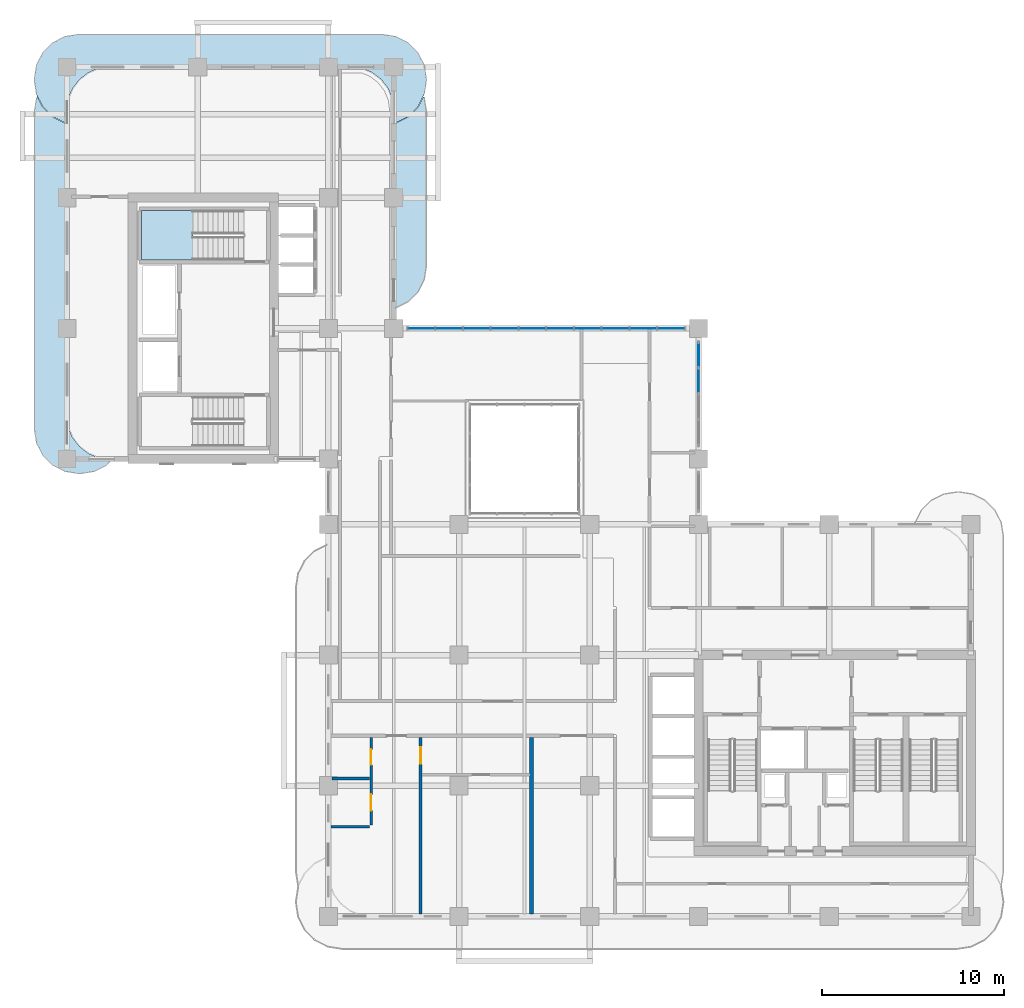
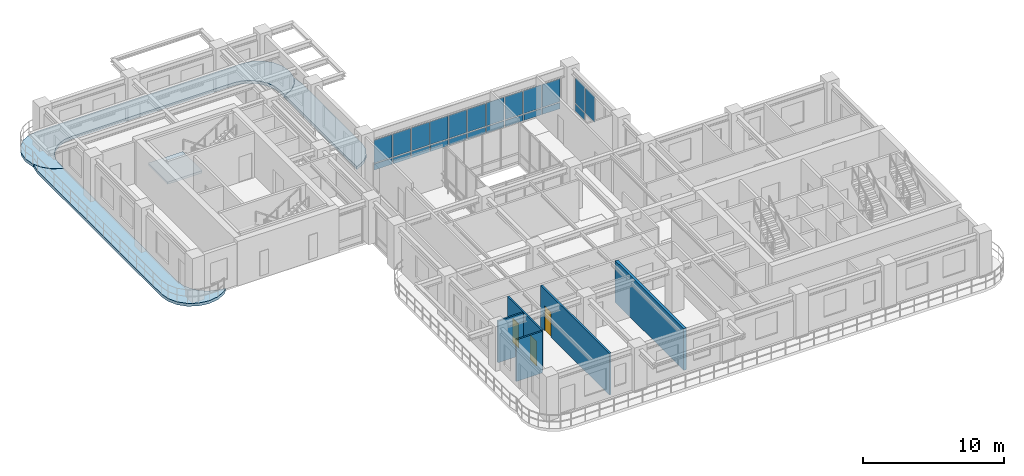
# One storey, part 10 of 19: 23 plates, 5 walls, 4 slabs, 3 doors, 3 openings, 3 elements without a shape of their own.
"""IFC4 building model written with IfcOpenShell, lengths in metres."""

from ifc_helpers import new_model, si_unit, derived_unit, direction, frame, frame_2d, origin, origin_2d, place, context, subcontext, project, spatial, polyline, rectangle, outline, extrude, source, transform, mapped, material, layer, layer_set, type_object, type_shapes, element, fill, aggregate, save


model = new_model("IFC4")

# Units and contexts
model_context = context("Model", 3, precision=1e-05, world=origin(), true_north=direction((0.0, 1.0)))
body_context = subcontext(model_context, "Body", "Model", "MODEL_VIEW")
ifc_project = project(units=[si_unit("LENGTHUNIT", "METRE"), si_unit("AREAUNIT", "SQUARE_METRE"), si_unit("VOLUMEUNIT", "CUBIC_METRE"), si_unit("PLANEANGLEUNIT", "RADIAN"), si_unit("MASSUNIT", "GRAM", prefix="KILO"), si_unit("THERMODYNAMICTEMPERATUREUNIT", "KELVIN"), si_unit("POWERUNIT", "WATT"), derived_unit("THERMALTRANSMITTANCEUNIT", [(si_unit("POWERUNIT", "WATT"), 1), (si_unit("AREAUNIT", "SQUARE_METRE"), -1), (si_unit("THERMODYNAMICTEMPERATUREUNIT", "KELVIN"), -1)])], contexts=[model_context])

# Site, building, storey
site_placement = place(None, origin())
site = spatial("IfcSite", under=ifc_project, at=site_placement, CompositionType="ELEMENT")
building_placement = place(site_placement, origin())
building = spatial("IfcBuilding", under=site, at=building_placement, Name="Zahravan Archway Hotel and Residences", CompositionType="ELEMENT")
storey_placement = place(building_placement, frame((0.0, 0.0, 158.0)))
storey = spatial("IfcBuildingStorey", under=building, at=storey_placement, Name="L39", CompositionType="ELEMENT", Elevation=158.0)

# Slabs
ifc_material_1 = material(Name="Concrete C45/55", Category="concrete")
ifc_layer_1 = layer(ifc_material_1, 0.25, Name="Concrete C45/55", Category="concrete")
ifc_layer_set_1 = layer_set([ifc_layer_1], Name="Concrete C45/55")
slab_type_1 = type_object("IfcSlabType", Name="SLB-BALC-250", PredefinedType="FLOOR", material=ifc_layer_set_1)
slab_1_placement = place(storey_placement, frame((0.0, 0.0, -0.25)))
element("IfcSlab", 1, at=slab_1_placement, inside=storey, type_object=slab_type_1, Name="L39 Wing B North Rounded Balcony Band", PredefinedType="FLOOR", context=body_context, shape_type="SweptSolid", body=[
    extrude(outline(polyline([(-0.107177734375, 43.719970703125), (-0.7900390625, 44.06787109375), (-1.33203125, 44.60986328125), (-1.68017578125, 45.29296875), (-1.800048828125, 46.050048828125), (-1.800048828125, 46.14990234375), (-1.68017578125, 46.906982421875), (-1.33203125, 47.590087890625), (-0.7900390625, 48.132080078125), (-0.107177734375, 48.47998046875), (0.64990234375, 48.60009765625), (17.35009765625, 48.60009765625), (18.107177734375, 48.47998046875), (18.7900390625, 48.132080078125), (19.33203125, 47.590087890625), (19.68017578125, 46.906982421875), (19.800048828125, 46.14990234375), (19.800048828125, 46.050048828125), (19.68017578125, 45.29296875), (19.33203125, 44.60986328125), (18.7900390625, 44.06787109375), (18.107177734375, 43.719970703125), (18.02001953125, 43.7060546875), (18.02001953125, 44.39990234375), (18.019775390625, 44.402587890625), (17.93798828125, 45.023681640625), (17.937744140625, 45.025390625), (17.937255859375, 45.027099609375), (17.936767578125, 45.02880859375), (17.697021484375, 45.607666015625), (17.6962890625, 45.609130859375), (17.6953125, 45.610595703125), (17.6943359375, 45.6123046875), (17.31298828125, 46.109375), (17.311767578125, 46.110595703125), (17.310546875, 46.11181640625), (17.309326171875, 46.113037109375), (16.812255859375, 46.494384765625), (16.810791015625, 46.495361328125), (16.80908203125, 46.49609375), (16.8076171875, 46.4970703125), (16.22900390625, 46.73681640625), (16.227294921875, 46.7373046875), (16.2255859375, 46.73779296875), (16.223876953125, 46.738037109375), (15.6025390625, 46.81982421875), (15.60009765625, 46.820068359375), (2.39990234375, 46.820068359375), (2.3974609375, 46.81982421875), (1.776123046875, 46.738037109375), (1.7744140625, 46.73779296875), (1.772705078125, 46.7373046875), (1.77099609375, 46.73681640625), (1.1923828125, 46.4970703125), (1.19091796875, 46.49609375), (1.189208984375, 46.495361328125), (1.187744140625, 46.494384765625), (0.690673828125, 46.113037109375), (0.689453125, 46.11181640625), (0.688232421875, 46.110595703125), (0.68701171875, 46.109375), (0.3056640625, 45.6123046875), (0.3046875, 45.610595703125), (0.3037109375, 45.609130859375), (0.302978515625, 45.607666015625), (0.063232421875, 45.02880859375), (0.062744140625, 45.027099609375), (0.062255859375, 45.025390625), (0.06201171875, 45.023681640625), (-0.019775390625, 44.402587890625), (-0.02001953125, 44.39990234375), (-0.02001953125, 43.7060546875), (-0.107177734375, 43.719970703125)])), origin(), (0.0, 0.0, 1.0), 0.25),
])
slab_2_placement = place(storey_placement, frame((0.0, 0.0, -0.25)))
element("IfcSlab", 2, at=slab_2_placement, inside=storey, type_object=slab_type_1, Name="L39 Wing B West Rounded Balcony Band", PredefinedType="FLOOR", context=body_context, shape_type="SweptSolid", body=[
    extrude(outline(polyline([(2.190185546875, 24.867919921875), (1.507080078125, 24.52001953125), (0.75, 24.39990234375), (0.64990234375, 24.39990234375), (-0.107177734375, 24.52001953125), (-0.7900390625, 24.867919921875), (-1.33203125, 25.409912109375), (-1.68017578125, 26.093017578125), (-1.800048828125, 26.85009765625), (-1.800048828125, 44.35009765625), (-1.68017578125, 45.107177734375), (-1.64404296875, 45.177978515625), (-1.349853515625, 44.600830078125), (-1.348876953125, 44.59912109375), (-1.34765625, 44.597412109375), (-1.34619140625, 44.595703125), (-0.80419921875, 44.0537109375), (-0.802734375, 44.052490234375), (-0.801025390625, 44.051025390625), (-0.79931640625, 44.050048828125), (-0.1162109375, 43.7021484375), (-0.1142578125, 43.701171875), (-0.1123046875, 43.70068359375), (-0.110107421875, 43.7001953125), (-0.023193359375, 43.686279296875), (-0.021240234375, 43.68603515625), (-0.02001953125, 43.68603515625), (-0.02001953125, 27.60009765625), (-0.019775390625, 27.597412109375), (0.06201171875, 26.976318359375), (0.062255859375, 26.974609375), (0.062744140625, 26.972900390625), (0.063232421875, 26.97119140625), (0.302978515625, 26.392333984375), (0.3037109375, 26.390869140625), (0.3046875, 26.389404296875), (0.3056640625, 26.3876953125), (0.68701171875, 25.890625), (0.688232421875, 25.889404296875), (0.689453125, 25.88818359375), (0.690673828125, 25.886962890625), (1.187744140625, 25.505615234375), (1.189208984375, 25.504638671875), (1.19091796875, 25.50390625), (1.1923828125, 25.5029296875), (1.77099609375, 25.26318359375), (1.772705078125, 25.2626953125), (1.7744140625, 25.26220703125), (1.776123046875, 25.261962890625), (2.3974609375, 25.18017578125), (2.39990234375, 25.179931640625), (2.502197265625, 25.179931640625), (2.190185546875, 24.867919921875)])), origin(), (0.0, 0.0, 1.0), 0.25),
])
slab_3_placement = place(storey_placement, frame((0.0, 0.0, -0.25)))
element("IfcSlab", 3, at=slab_3_placement, inside=storey, type_object=slab_type_1, Name="L39 Wing B East Rounded Balcony Band", PredefinedType="FLOOR", context=body_context, shape_type="SweptSolid", body=[
    extrude(outline(polyline([(19.68017578125, 45.107177734375), (19.800048828125, 44.35009765625), (19.800048828125, 35.85009765625), (19.68017578125, 35.093017578125), (19.33203125, 34.409912109375), (18.7900390625, 33.867919921875), (18.107177734375, 33.52001953125), (18.02001953125, 33.506103515625), (18.02001953125, 43.68603515625), (18.021240234375, 43.68603515625), (18.023193359375, 43.686279296875), (18.110107421875, 43.7001953125), (18.1123046875, 43.70068359375), (18.1142578125, 43.701171875), (18.1162109375, 43.7021484375), (18.79931640625, 44.050048828125), (18.801025390625, 44.051025390625), (18.802734375, 44.052490234375), (18.80419921875, 44.0537109375), (19.34619140625, 44.595703125), (19.34765625, 44.597412109375), (19.348876953125, 44.59912109375), (19.349853515625, 44.600830078125), (19.64404296875, 45.177978515625), (19.68017578125, 45.107177734375)])), origin(), (0.0, 0.0, 1.0), 0.25),
])

# Stair, slab
ifc_material_2 = material(Name="Concrete C50/60", Category="concrete")
stair_type = type_object("IfcStairType", Name="STR-CORE-1300", PredefinedType="HALF_TURN_STAIR", material=ifc_material_2)
stair_placement = place(storey_placement, origin())
stair = element("IfcStair", 4, at=stair_placement, inside=storey, type_object=stair_type, Name="L39 Core B Exit Stair 2", PredefinedType="HALF_TURN_STAIR")
ifc_layer_2 = layer(ifc_material_2, 0.199951171875, Name="Concrete C50/60", Category="concrete")
ifc_layer_set_2 = layer_set([ifc_layer_2], Name="Concrete C50/60")
slab_type_2 = type_object("IfcSlabType", Name="SLB-LND-200", PredefinedType="LANDING", material=ifc_layer_set_2)
slab_4_placement = place(storey_placement, frame((0.0, 0.0, 1.72509765625)))
slab_4 = element("IfcSlab", 5, at=slab_4_placement, type_object=slab_type_2, Name="ST-B2 landing 1", PredefinedType="LANDING", context=body_context, shape_type="SweptSolid", body=[
    extrude(outline(polyline([(6.929931640625, 38.89990234375), (4.10009765625, 38.89990234375), (4.10009765625, 36.159912109375), (6.929931640625, 36.159912109375), (6.929931640625, 38.89990234375)])), origin(), (0.0, 0.0, 1.0), 0.199951171875),
])
aggregate(stair, [slab_4])

# Curtain wall, plates
ifc_material_3 = material(Name="Bronze-Anodized Unitised Aluminium & Low-E Glass", Category="aluminium")
ifc_layer_3 = layer(ifc_material_3, 0.179931640625, Name="Bronze-Anodized Unitised Aluminium & Low-E Glass", Category="aluminium")
ifc_layer_set_3 = layer_set([ifc_layer_3], Name="Bronze-Anodized Unitised Aluminium & Low-E Glass")
curtain_wall_type = type_object("IfcCurtainWallType", Name="CW-ATR-GLAZ", PredefinedType="NOTDEFINED", material=ifc_layer_set_3)
curtain_wall_1_placement = place(storey_placement, origin())
curtain_wall_1 = element("IfcCurtainWall", 6, at=curtain_wall_1_placement, inside=storey, type_object=curtain_wall_type, Name="L39 Curtain Wall CW-L39-HNG-N-1", PredefinedType="NOTDEFINED")
ifc_material_4 = material(Name="Insulated Terracotta Spandrel Panel", Category="masonry")
ifc_layer_4 = layer(ifc_material_4, 0.0400390625, Name="Insulated Terracotta Spandrel Panel", Category="masonry")
ifc_layer_set_4 = layer_set([ifc_layer_4], Name="Insulated Terracotta Spandrel Panel")
plate_type_1 = type_object("IfcPlateType", Name="CWP-SPN-40", PredefinedType="SHEET", material=ifc_layer_set_4)
shared_shape_1 = source(origin(), body_context, "Body", "SweptSolid", [
    extrude(rectangle(XDim=1.447998046875, YDim=0.0400390625, at=origin_2d()), origin(), (0.0, 0.0, 1.0), 0.5283203125),
])
plate_1_placement = place(storey_placement, frame((19.52392578125, 32.39990234375, 0.10009765625), z_axis=(0.0, 0.0, 1.0), x_axis=(1.0, 0.0, 0.0)))
plate_1 = element("IfcPlate", 7, at=plate_1_placement, type_object=plate_type_1, Name="CW-L39-HNG-N-1 Spandrel Panel 0", PredefinedType="SHEET", context=body_context, shape_type="MappedRepresentation", body=[
    mapped(shared_shape_1, transform((0.0, 0.0, 0.0), scale=1.0)),
])
plate_2_placement = place(storey_placement, frame((21.052001953125, 32.39990234375, 0.10009765625), z_axis=(0.0, 0.0, 1.0), x_axis=(1.0, 0.0, 0.0)))
plate_2 = element("IfcPlate", 8, at=plate_2_placement, type_object=plate_type_1, Name="CW-L39-HNG-N-1 Spandrel Panel 1", PredefinedType="SHEET", context=body_context, shape_type="MappedRepresentation", body=[
    mapped(shared_shape_1, transform((0.0, 0.0, 0.0), scale=1.0)),
])
plate_3_placement = place(storey_placement, frame((22.580078125, 32.39990234375, 0.10009765625), z_axis=(0.0, 0.0, 1.0), x_axis=(1.0, 0.0, 0.0)))
plate_3 = element("IfcPlate", 9, at=plate_3_placement, type_object=plate_type_1, Name="CW-L39-HNG-N-1 Spandrel Panel 2", PredefinedType="SHEET", context=body_context, shape_type="MappedRepresentation", body=[
    mapped(shared_shape_1, transform((0.0, 0.0, 0.0), scale=1.0)),
])
plate_4_placement = place(storey_placement, frame((24.10791015625, 32.39990234375, 0.10009765625), z_axis=(0.0, 0.0, 1.0), x_axis=(1.0, 0.0, 0.0)))
plate_4 = element("IfcPlate", 10, at=plate_4_placement, type_object=plate_type_1, Name="CW-L39-HNG-N-1 Spandrel Panel 3", PredefinedType="SHEET", context=body_context, shape_type="MappedRepresentation", body=[
    mapped(shared_shape_1, transform((0.0, 0.0, 0.0), scale=1.0)),
])
plate_5_placement = place(storey_placement, frame((25.635986328125, 32.39990234375, 0.10009765625), z_axis=(0.0, 0.0, 1.0), x_axis=(1.0, 0.0, 0.0)))
plate_5 = element("IfcPlate", 11, at=plate_5_placement, type_object=plate_type_1, Name="CW-L39-HNG-N-1 Spandrel Panel 4", PredefinedType="SHEET", context=body_context, shape_type="MappedRepresentation", body=[
    mapped(shared_shape_1, transform((0.0, 0.0, 0.0), scale=1.0)),
])
plate_6_placement = place(storey_placement, frame((27.1640625, 32.39990234375, 0.10009765625), z_axis=(0.0, 0.0, 1.0), x_axis=(1.0, 0.0, 0.0)))
plate_6 = element("IfcPlate", 12, at=plate_6_placement, type_object=plate_type_1, Name="CW-L39-HNG-N-1 Spandrel Panel 5", PredefinedType="SHEET", context=body_context, shape_type="MappedRepresentation", body=[
    mapped(shared_shape_1, transform((0.0, 0.0, 0.0), scale=1.0)),
])
plate_7_placement = place(storey_placement, frame((28.69189453125, 32.39990234375, 0.10009765625), z_axis=(0.0, 0.0, 1.0), x_axis=(1.0, 0.0, 0.0)))
plate_7 = element("IfcPlate", 13, at=plate_7_placement, type_object=plate_type_1, Name="CW-L39-HNG-N-1 Spandrel Panel 6", PredefinedType="SHEET", context=body_context, shape_type="MappedRepresentation", body=[
    mapped(shared_shape_1, transform((0.0, 0.0, 0.0), scale=1.0)),
])
plate_8_placement = place(storey_placement, frame((30.219970703125, 32.39990234375, 0.10009765625), z_axis=(0.0, 0.0, 1.0), x_axis=(1.0, 0.0, 0.0)))
plate_8 = element("IfcPlate", 14, at=plate_8_placement, type_object=plate_type_1, Name="CW-L39-HNG-N-1 Spandrel Panel 7", PredefinedType="SHEET", context=body_context, shape_type="MappedRepresentation", body=[
    mapped(shared_shape_1, transform((0.0, 0.0, 0.0), scale=1.0)),
])
plate_9_placement = place(storey_placement, frame((31.748046875, 32.39990234375, 0.10009765625), z_axis=(0.0, 0.0, 1.0), x_axis=(1.0, 0.0, 0.0)))
plate_9 = element("IfcPlate", 15, at=plate_9_placement, type_object=plate_type_1, Name="CW-L39-HNG-N-1 Spandrel Panel 8", PredefinedType="SHEET", context=body_context, shape_type="MappedRepresentation", body=[
    mapped(shared_shape_1, transform((0.0, 0.0, 0.0), scale=1.0)),
])
plate_10_placement = place(storey_placement, frame((33.27587890625, 32.39990234375, 0.10009765625), z_axis=(0.0, 0.0, 1.0), x_axis=(1.0, 0.0, 0.0)))
plate_10 = element("IfcPlate", 16, at=plate_10_placement, type_object=plate_type_1, Name="CW-L39-HNG-N-1 Spandrel Panel 9", PredefinedType="SHEET", context=body_context, shape_type="MappedRepresentation", body=[
    mapped(shared_shape_1, transform((0.0, 0.0, 0.0), scale=1.0)),
])
ifc_material_5 = material(Name="Double-Silver Low-E Insulated Vision Glass", Category="glass")
ifc_layer_5 = layer(ifc_material_5, 0.028076171875, Name="Double-Silver Low-E Insulated Vision Glass", Category="glass")
ifc_layer_set_5 = layer_set([ifc_layer_5], Name="Double-Silver Low-E Insulated Vision Glass")
plate_type_2 = type_object("IfcPlateType", Name="CWP-GLZ-28", PredefinedType="CURTAIN_PANEL", material=ifc_layer_set_5)
shared_shape_2 = source(origin(), body_context, "Body", "SweptSolid", [
    extrude(rectangle(XDim=1.447998046875, YDim=0.028076171875, at=origin_2d()), origin(), (0.0, 0.0, 1.0), 1.9765625),
])
plate_11_placement = place(storey_placement, frame((19.52392578125, 32.39990234375, 0.70849609375), z_axis=(0.0, 0.0, 1.0), x_axis=(1.0, 0.0, 0.0)))
plate_11 = element("IfcPlate", 17, at=plate_11_placement, type_object=plate_type_2, Name="CW-L39-HNG-N-1 Low-E Vision Panel 0", PredefinedType="CURTAIN_PANEL", context=body_context, shape_type="MappedRepresentation", body=[
    mapped(shared_shape_2, transform((0.0, 0.0, 0.0), scale=1.0)),
])
plate_12_placement = place(storey_placement, frame((21.052001953125, 32.39990234375, 0.70849609375), z_axis=(0.0, 0.0, 1.0), x_axis=(1.0, 0.0, 0.0)))
plate_12 = element("IfcPlate", 18, at=plate_12_placement, type_object=plate_type_2, Name="CW-L39-HNG-N-1 Low-E Vision Panel 1", PredefinedType="CURTAIN_PANEL", context=body_context, shape_type="MappedRepresentation", body=[
    mapped(shared_shape_2, transform((0.0, 0.0, 0.0), scale=1.0)),
])
plate_13_placement = place(storey_placement, frame((22.580078125, 32.39990234375, 0.70849609375), z_axis=(0.0, 0.0, 1.0), x_axis=(1.0, 0.0, 0.0)))
plate_13 = element("IfcPlate", 19, at=plate_13_placement, type_object=plate_type_2, Name="CW-L39-HNG-N-1 Low-E Vision Panel 2", PredefinedType="CURTAIN_PANEL", context=body_context, shape_type="MappedRepresentation", body=[
    mapped(shared_shape_2, transform((0.0, 0.0, 0.0), scale=1.0)),
])
plate_14_placement = place(storey_placement, frame((24.10791015625, 32.39990234375, 0.70849609375), z_axis=(0.0, 0.0, 1.0), x_axis=(1.0, 0.0, 0.0)))
plate_14 = element("IfcPlate", 20, at=plate_14_placement, type_object=plate_type_2, Name="CW-L39-HNG-N-1 Low-E Vision Panel 3", PredefinedType="CURTAIN_PANEL", context=body_context, shape_type="MappedRepresentation", body=[
    mapped(shared_shape_2, transform((0.0, 0.0, 0.0), scale=1.0)),
])
plate_15_placement = place(storey_placement, frame((25.635986328125, 32.39990234375, 0.70849609375), z_axis=(0.0, 0.0, 1.0), x_axis=(1.0, 0.0, 0.0)))
plate_15 = element("IfcPlate", 21, at=plate_15_placement, type_object=plate_type_2, Name="CW-L39-HNG-N-1 Low-E Vision Panel 4", PredefinedType="CURTAIN_PANEL", context=body_context, shape_type="MappedRepresentation", body=[
    mapped(shared_shape_2, transform((0.0, 0.0, 0.0), scale=1.0)),
])
plate_16_placement = place(storey_placement, frame((27.1640625, 32.39990234375, 0.70849609375), z_axis=(0.0, 0.0, 1.0), x_axis=(1.0, 0.0, 0.0)))
plate_16 = element("IfcPlate", 22, at=plate_16_placement, type_object=plate_type_2, Name="CW-L39-HNG-N-1 Low-E Vision Panel 5", PredefinedType="CURTAIN_PANEL", context=body_context, shape_type="MappedRepresentation", body=[
    mapped(shared_shape_2, transform((0.0, 0.0, 0.0), scale=1.0)),
])
plate_17_placement = place(storey_placement, frame((28.69189453125, 32.39990234375, 0.70849609375), z_axis=(0.0, 0.0, 1.0), x_axis=(1.0, 0.0, 0.0)))
plate_17 = element("IfcPlate", 23, at=plate_17_placement, type_object=plate_type_2, Name="CW-L39-HNG-N-1 Low-E Vision Panel 6", PredefinedType="CURTAIN_PANEL", context=body_context, shape_type="MappedRepresentation", body=[
    mapped(shared_shape_2, transform((0.0, 0.0, 0.0), scale=1.0)),
])
plate_18_placement = place(storey_placement, frame((30.219970703125, 32.39990234375, 0.70849609375), z_axis=(0.0, 0.0, 1.0), x_axis=(1.0, 0.0, 0.0)))
plate_18 = element("IfcPlate", 24, at=plate_18_placement, type_object=plate_type_2, Name="CW-L39-HNG-N-1 Low-E Vision Panel 7", PredefinedType="CURTAIN_PANEL", context=body_context, shape_type="MappedRepresentation", body=[
    mapped(shared_shape_2, transform((0.0, 0.0, 0.0), scale=1.0)),
])
plate_19_placement = place(storey_placement, frame((31.748046875, 32.39990234375, 0.70849609375), z_axis=(0.0, 0.0, 1.0), x_axis=(1.0, 0.0, 0.0)))
plate_19 = element("IfcPlate", 25, at=plate_19_placement, type_object=plate_type_2, Name="CW-L39-HNG-N-1 Low-E Vision Panel 8", PredefinedType="CURTAIN_PANEL", context=body_context, shape_type="MappedRepresentation", body=[
    mapped(shared_shape_2, transform((0.0, 0.0, 0.0), scale=1.0)),
])
plate_20_placement = place(storey_placement, frame((33.27587890625, 32.39990234375, 0.70849609375), z_axis=(0.0, 0.0, 1.0), x_axis=(1.0, 0.0, 0.0)))
plate_20 = element("IfcPlate", 26, at=plate_20_placement, type_object=plate_type_2, Name="CW-L39-HNG-N-1 Low-E Vision Panel 9", PredefinedType="CURTAIN_PANEL", context=body_context, shape_type="MappedRepresentation", body=[
    mapped(shared_shape_2, transform((0.0, 0.0, 0.0), scale=1.0)),
])
aggregate(curtain_wall_1, [plate_1, plate_11, plate_2, plate_12, plate_3, plate_13, plate_4, plate_14, plate_5, plate_15, plate_6, plate_16, plate_7, plate_17, plate_8, plate_18, plate_9, plate_19, plate_10, plate_20])

curtain_wall_2_placement = place(storey_placement, origin())
curtain_wall_2 = element("IfcCurtainWall", 27, at=curtain_wall_2_placement, inside=storey, type_object=curtain_wall_type, Name="L39 Curtain Wall CW-L39-HNG-E-2", PredefinedType="NOTDEFINED")
shared_shape_3 = source(origin(), body_context, "Body", "SweptSolid", [
    extrude(rectangle(XDim=1.340087890625, YDim=0.0400390625, at=origin_2d()), origin(), (0.0, 0.0, 1.0), 0.600341796875),
])
plate_21_placement = place(storey_placement, frame((34.800048828125, 30.929931640625, 0.10009765625), z_axis=(0.0, 0.0, 1.0), x_axis=(0.0, 1.0, 0.0)))
plate_21 = element("IfcPlate", 28, at=plate_21_placement, type_object=plate_type_1, Name="CW-L39-HNG-E-2 Spandrel Panel 3", PredefinedType="SHEET", context=body_context, shape_type="MappedRepresentation", body=[
    mapped(shared_shape_3, transform((0.0, 0.0, 0.0), scale=1.0)),
])
shared_shape_4 = source(origin(), body_context, "Body", "SweptSolid", [
    extrude(rectangle(XDim=1.340087890625, YDim=0.028076171875, at=origin_2d()), origin(), (0.0, 0.0, 1.0), 2.20458984375),
])
plate_22_placement = place(storey_placement, frame((34.800048828125, 29.510009765625, 0.780517578125), z_axis=(0.0, 0.0, 1.0), x_axis=(0.0, 1.0, 0.0)))
plate_22 = element("IfcPlate", 29, at=plate_22_placement, type_object=plate_type_2, Name="CW-L39-HNG-E-2 Low-E Vision Panel 2", PredefinedType="CURTAIN_PANEL", context=body_context, shape_type="MappedRepresentation", body=[
    mapped(shared_shape_4, transform((0.0, 0.0, 0.0), scale=1.0)),
])
plate_23_placement = place(storey_placement, frame((34.800048828125, 30.929931640625, 0.780517578125), z_axis=(0.0, 0.0, 1.0), x_axis=(0.0, 1.0, 0.0)))
plate_23 = element("IfcPlate", 30, at=plate_23_placement, type_object=plate_type_2, Name="CW-L39-HNG-E-2 Low-E Vision Panel 3", PredefinedType="CURTAIN_PANEL", context=body_context, shape_type="MappedRepresentation", body=[
    mapped(shared_shape_4, transform((0.0, 0.0, 0.0), scale=1.0)),
])
aggregate(curtain_wall_2, [plate_22, plate_21, plate_23])

# Wall
ifc_material_6 = material(Name="Fire-Rated Gypsum & Concrete Block", Category="concrete")
ifc_layer_6 = layer(ifc_material_6, 0.219970703125, Name="Fire-Rated Gypsum & Concrete Block", Category="concrete")
ifc_layer_set_6 = layer_set([ifc_layer_6], Name="Fire-Rated Gypsum & Concrete Block")
wall_type_1 = type_object("IfcWallType", Name="PW-COMP-220", PredefinedType="PARTITIONING", material=ifc_layer_set_6)
wall_1_placement = place(storey_placement, frame((25.60009765625, 0.14794921875, 0.0), z_axis=(0.0, 0.0, 1.0), x_axis=(0.0, 1.0, 0.0)))
element("IfcWall", 31, at=wall_1_placement, inside=storey, type_object=wall_type_1, Name="L39 Partition WAS-R3", PredefinedType="PARTITIONING", context=body_context, shape_type="SweptSolid", body=[
    extrude(rectangle(XDim=9.712158203125, YDim=0.219970703125, at=frame_2d((4.85595703125, 0.0))), origin(), (0.0, 0.0, 1.0), 3.60009765625),
])

# Wall, opening, door
ifc_material_7 = material(Name="Acoustic Stud Partition")
ifc_layer_7 = layer(ifc_material_7, 0.14990234375, Name="Acoustic Stud Partition")
ifc_layer_set_7 = layer_set([ifc_layer_7], Name="Acoustic Stud Partition")
wall_type_2 = type_object("IfcWallType", Name="PW-UNIT-150", PredefinedType="PARTITIONING", material=ifc_layer_set_7)
wall_2_placement = place(storey_placement, frame((19.47998046875, 0.14794921875, 0.0), z_axis=(0.0, 0.0, 1.0), x_axis=(0.0, 1.0, 0.0)))
wall_2 = element("IfcWall", 32, at=wall_2_placement, inside=storey, type_object=wall_type_2, Name="L39 Partition FL-S1-SP", PredefinedType="PARTITIONING", context=body_context, shape_type="SweptSolid", body=[
    extrude(rectangle(XDim=9.712158203125, YDim=0.14990234375, at=frame_2d((4.85595703125, 0.0))), origin(), (0.0, 0.0, 1.0), 3.60009765625),
])
opening_1_placement = place(wall_2_placement, frame((8.277099609375, 0.0, 0.0)))
opening_1 = element("IfcOpeningElement", 33, at=opening_1_placement, cuts=wall_2, Name="Opening D-I2", PredefinedType="OPENING", context=body_context, shape_type="SweptSolid", body=[
    extrude(rectangle(XDim=0.89990234375, YDim=2.14990234375, at=frame_2d((0.449951171875, 1.074951171875))), frame((0.0, 0.0849609375, 0.0), z_axis=(0.0, -1.0, 0.0), x_axis=(1.0, 0.0, 0.0)), (0.0, 0.0, 1.0), 0.169921875),
])
ifc_material_8 = material(Name="Hardwood Veneer Timber", Category="wood")
door_type_1 = type_object("IfcDoorType", Name="ID-INT-900", OperationType="NOTDEFINED", PredefinedType="DOOR", material=ifc_material_8)
shared_shape_5 = source(origin(), body_context, "Body", "SweptSolid", [
    extrude(rectangle(XDim=0.89990234375, YDim=2.14990234375, at=frame_2d((0.449951171875, 1.074951171875))), frame((0.0, 0.02490234375, 0.0), z_axis=(0.0, -1.0, 0.0), x_axis=(1.0, 0.0, 0.0)), (0.0, 0.0, 1.0), 0.050048828125),
])
type_shapes(door_type_1, [shared_shape_5])
door_1_placement = place(opening_1_placement, origin())
door_1 = element("IfcDoor", 34, at=door_1_placement, inside=storey, type_object=door_type_1, Name="L39 Flat S1 Bedroom Hall Door", OperationType="SINGLE_SWING_RIGHT", OverallHeight=2.14990234375, OverallWidth=0.89990234375, PredefinedType="DOOR", context=body_context, shape_type="MappedRepresentation", body=[
    mapped(shared_shape_5, transform((0.0, 0.0, 0.0), scale=1.0)),
])
fill(opening_1, door_1)

# Wall, openings, doors
ifc_material_9 = material(Name="Moisture-Resistant Blockwork", Category="masonry")
ifc_layer_8 = layer(ifc_material_9, 0.139892578125, Name="Moisture-Resistant Blockwork", Category="masonry")
ifc_layer_set_8 = layer_set([ifc_layer_8], Name="Moisture-Resistant Blockwork")
wall_type_3 = type_object("IfcWallType", Name="PW-WET-140", PredefinedType="PARTITIONING", material=ifc_layer_set_8)
wall_3_placement = place(storey_placement, frame((16.75, 5.0400390625, 0.0), z_axis=(0.0, 0.0, 1.0), x_axis=(0.0, 1.0, 0.0)))
wall_3 = element("IfcWall", 35, at=wall_3_placement, inside=storey, type_object=wall_type_3, Name="L39 Partition FL-S1-BV", PredefinedType="PARTITIONING", context=body_context, shape_type="SweptSolid", body=[
    extrude(rectangle(XDim=4.820068359375, YDim=0.139892578125, at=frame_2d((2.41015625, 0.0))), origin(), (0.0, 0.0, 1.0), 3.60009765625),
])
opening_2_placement = place(wall_3_placement, frame((0.784912109375, 0.0, 0.0)))
opening_2 = element("IfcOpeningElement", 36, at=opening_2_placement, cuts=wall_3, Name="Opening D-I2", PredefinedType="OPENING", context=body_context, shape_type="SweptSolid", body=[
    extrude(rectangle(XDim=0.89990234375, YDim=2.14990234375, at=frame_2d((0.449951171875, 1.074951171875))), frame((0.0, 0.080078125, 0.0), z_axis=(0.0, -1.0, 0.0), x_axis=(1.0, 0.0, 0.0)), (0.0, 0.0, 1.0), 0.159912109375),
])
opening_3_placement = place(wall_3_placement, frame((3.31005859375, 0.0, 0.0)))
opening_3 = element("IfcOpeningElement", 37, at=opening_3_placement, cuts=wall_3, Name="Opening D-B1", PredefinedType="OPENING", context=body_context, shape_type="SweptSolid", body=[
    extrude(rectangle(XDim=0.85009765625, YDim=2.10009765625, at=frame_2d((0.425048828125, 1.050048828125))), frame((0.0, 0.080078125, 0.0), z_axis=(0.0, -1.0, 0.0), x_axis=(1.0, 0.0, 0.0)), (0.0, 0.0, 1.0), 0.159912109375),
])
door_type_2 = type_object("IfcDoorType", Name="ID-BATH-850", OperationType="NOTDEFINED", PredefinedType="DOOR", material=ifc_material_8)
shared_shape_6 = source(origin(), body_context, "Body", "SweptSolid", [
    extrude(rectangle(XDim=0.85009765625, YDim=2.10009765625, at=frame_2d((0.425048828125, 1.050048828125))), frame((0.0, 0.02490234375, 0.0), z_axis=(0.0, -1.0, 0.0), x_axis=(1.0, 0.0, 0.0)), (0.0, 0.0, 1.0), 0.050048828125),
])
type_shapes(door_type_2, [shared_shape_6])
door_2_placement = place(opening_3_placement, origin())
door_2 = element("IfcDoor", 38, at=door_2_placement, inside=storey, type_object=door_type_2, Name="L39 Flat S1 Bathroom Door", OperationType="SINGLE_SWING_RIGHT", OverallHeight=2.10009765625, OverallWidth=0.85009765625, PredefinedType="DOOR", context=body_context, shape_type="MappedRepresentation", body=[
    mapped(shared_shape_6, transform((0.0, 0.0, 0.0), scale=1.0)),
])
fill(opening_3, door_2)
door_3_placement = place(opening_2_placement, origin())
door_3 = element("IfcDoor", 39, at=door_3_placement, inside=storey, type_object=door_type_1, Name="L39 Flat S1 Kitchen Door", OperationType="SINGLE_SWING_LEFT", OverallHeight=2.14990234375, OverallWidth=0.89990234375, PredefinedType="DOOR", context=body_context, shape_type="MappedRepresentation", body=[
    mapped(shared_shape_5, transform((0.0, 0.0, 0.0), scale=1.0)),
])
fill(opening_2, door_3)

# Walls
wall_4_placement = place(storey_placement, frame((14.590087890625, 7.60009765625, 0.0), z_axis=(0.0, 0.0, 1.0), x_axis=(1.0, 0.0, 0.0)))
element("IfcWall", 40, at=wall_4_placement, inside=storey, type_object=wall_type_3, Name="L39 Partition FL-S1-BM", PredefinedType="PARTITIONING", context=body_context, shape_type="SweptSolid", body=[
    extrude(rectangle(XDim=2.06982421875, YDim=0.139892578125, at=frame_2d((1.034912109375, 0.0))), origin(), (0.0, 0.0, 1.0), 3.60009765625),
])
wall_5_placement = place(storey_placement, frame((14.548095703125, 4.949951171875, 0.0), z_axis=(0.0, 0.0, 1.0), x_axis=(1.0, 0.0, 0.0)))
element("IfcWall", 41, at=wall_5_placement, inside=storey, type_object=wall_type_3, Name="L39 Partition FL-S1-KH", PredefinedType="PARTITIONING", context=body_context, shape_type="SweptSolid", body=[
    extrude(rectangle(XDim=2.11181640625, YDim=0.139892578125, at=frame_2d((1.055908203125, 0.0))), origin(), (0.0, 0.0, 1.0), 3.60009765625),
])

save(model, "model.ifc")
